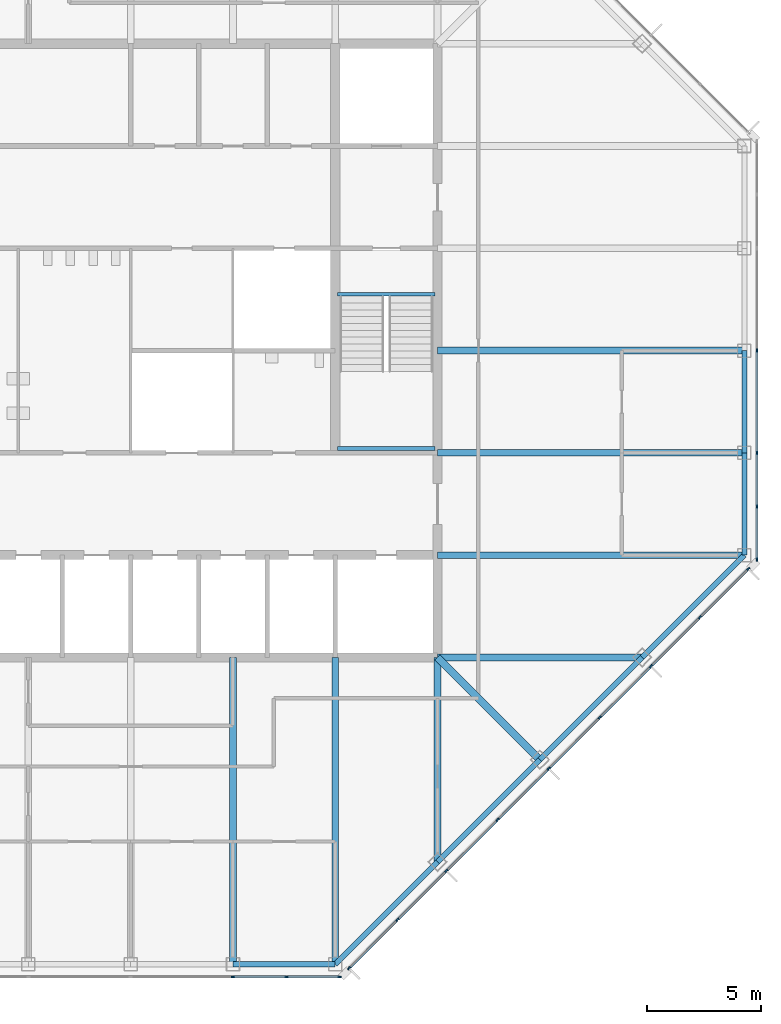
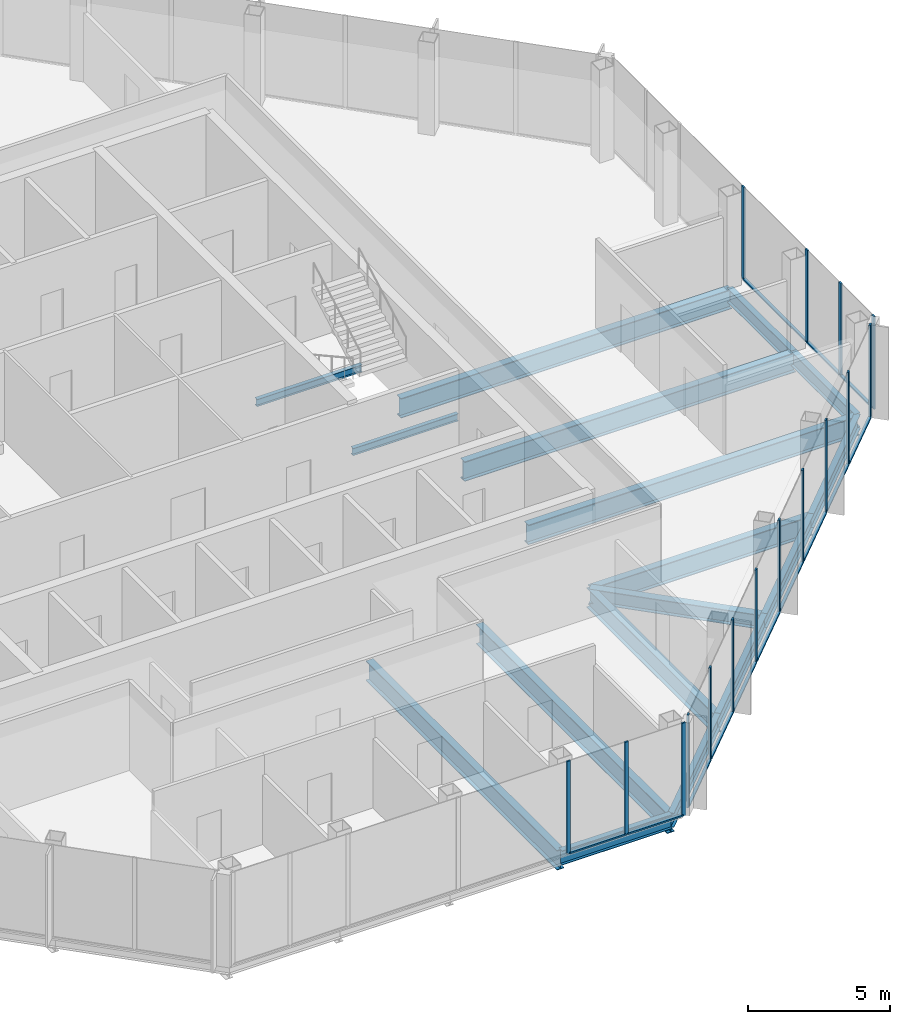
# One storey, part 4 of 13: 29 members, 17 beams, 3 elements without a shape of their own.
"""IFC4 building model written with IfcOpenShell, lengths in metres."""

from ifc_helpers import new_model, si_unit, direction, frame, origin, origin_2d, place, context, subcontext, project, spatial, rectangle, i_section, extrude, material, material_profile, profile_set, type_object, element, aggregate, save


model = new_model("IFC4")

# Units and contexts
model_context = context("Model", 3, precision=1e-05, world=origin(), true_north=direction((0.0, 1.0)))
body_context = subcontext(model_context, "Body", "Model", "MODEL_VIEW")
ifc_project = project(units=[si_unit("LENGTHUNIT", "METRE"), si_unit("AREAUNIT", "SQUARE_METRE"), si_unit("VOLUMEUNIT", "CUBIC_METRE"), si_unit("PLANEANGLEUNIT", "RADIAN"), si_unit("MASSUNIT", "GRAM", prefix="KILO")], contexts=[model_context])

# Site, building, storey
site_placement = place(None, origin())
site = spatial("IfcSite", under=ifc_project, at=site_placement, CompositionType="ELEMENT")
building_placement = place(site_placement, origin())
building = spatial("IfcBuilding", under=site, at=building_placement, Name="Corais Broadcast Tower", CompositionType="ELEMENT")
storey_placement = place(building_placement, frame((0.0, 0.0, 270.60009765625)))
storey = spatial("IfcBuildingStorey", under=building, at=storey_placement, Name="L63", CompositionType="ELEMENT", Elevation=270.60009765625)

# Beams
ifc_material_1 = material(Name="Steel ASTM A572 Grade 50", Category="steel")
ifc_material_profile_1 = material_profile(ifc_material_1, i_section(OverallWidth=0.323974609375, OverallDepth=0.611083984375, WebThickness=0.0126953125, FlangeThickness=0.01904296875, at=origin_2d()), Name="W610x155")
ifc_profile_set_1 = profile_set([ifc_material_profile_1], Name="Steel ASTM A572 Grade 50")
beam_type_1 = type_object("IfcBeamType", Name="Corner diagonal W610x155", PredefinedType="BEAM", material=ifc_profile_set_1)
beam_1_placement = place(storey_placement, frame((45.0, 9.0, -0.465576171875), z_axis=(-0.707106781187, 0.707106781187, 0.0), x_axis=(-0.707106781187, -0.707106781187, 0.0)))
element("IfcBeam", 1, at=beam_1_placement, inside=storey, type_object=beam_type_1, Name="B6 C/13 to D/12", PredefinedType="BEAM", context=body_context, shape_type="SweptSolid", body=[
    extrude(i_section(OverallWidth=0.323974609375, OverallDepth=0.611083984375, WebThickness=0.0126953125, FlangeThickness=0.01904296875, at=origin_2d()), origin(), (0.0, 0.0, 1.0), 6.364013671875),
])
ifc_material_2 = material(Name="Steel ASTM A572 Grade 50", Category="steel")
ifc_material_profile_2 = material_profile(ifc_material_2, i_section(OverallWidth=0.2939453125, OverallDepth=0.85107421875, WebThickness=0.01611328125, FlangeThickness=0.02685546875, at=origin_2d()), Name="W840x226")
ifc_profile_set_2 = profile_set([ifc_material_profile_2], Name="Steel ASTM A572 Grade 50")
beam_type_2 = type_object("IfcBeamType", Name="Floor beam W840x226", PredefinedType="BEAM", material=ifc_profile_set_2)
for number, where, z_axis, x_axis, name in (
    (2, (31.5, 0.0, -0.585693359375), (0.0, 1.0, 0.0), (-1.0, 0.0, 0.0), "B1 A/10 to D/10"),
    (3, (36.0, 0.0, -0.585693359375), (0.0, 1.0, 0.0), (-1.0, 0.0, 0.0), "B1 A/11 to D/11"),
):
    element("IfcBeam", number, at=place(storey_placement, frame(where, z_axis=z_axis, x_axis=x_axis)), inside=storey, type_object=beam_type_2, Name=name, PredefinedType="BEAM", context=body_context, shape_type="SweptSolid", body=[
        extrude(i_section(OverallWidth=0.2939453125, OverallDepth=0.85107421875, WebThickness=0.01611328125, FlangeThickness=0.02685546875, at=origin_2d()), origin(), (0.0, 0.0, 1.0), 13.5),
    ])
for number, where, z_axis, x_axis, name in (
    (4, (40.5, 4.5, -0.585693359375), (0.0, 1.0, 0.0), (-1.0, 0.0, 0.0), "B1 B/12 to D/12"),
    (5, (49.5, 13.5, -0.585693359375), (-1.0, 0.0, 0.0), (0.0, -1.0, 0.0), "B1 D/14 to D/12"),
):
    element("IfcBeam", number, at=place(storey_placement, frame(where, z_axis=z_axis, x_axis=x_axis)), inside=storey, type_object=beam_type_2, Name=name, PredefinedType="BEAM", context=body_context, shape_type="SweptSolid", body=[
        extrude(i_section(OverallWidth=0.2939453125, OverallDepth=0.85107421875, WebThickness=0.01611328125, FlangeThickness=0.02685546875, at=origin_2d()), origin(), (0.0, 0.0, 1.0), 9.0),
    ])
for number, where, z_axis, x_axis, name in (
    (6, (54.0, 18.0, -0.585693359375), (-1.0, 0.0, 0.0), (0.0, -1.0, 0.0), "B1 E/15 to E/12"),
    (7, (54.0, 22.5, -0.585693359375), (-1.0, 0.0, 0.0), (0.0, -1.0, 0.0), "B1 F/15 to F/12"),
    (8, (54.0, 27.0, -0.585693359375), (-1.0, 0.0, 0.0), (0.0, -1.0, 0.0), "B1 G/15 to G/12"),
):
    element("IfcBeam", number, at=place(storey_placement, frame(where, z_axis=z_axis, x_axis=x_axis)), inside=storey, type_object=beam_type_2, Name=name, PredefinedType="BEAM", context=body_context, shape_type="SweptSolid", body=[
        extrude(i_section(OverallWidth=0.2939453125, OverallDepth=0.85107421875, WebThickness=0.01611328125, FlangeThickness=0.02685546875, at=origin_2d()), origin(), (0.0, 0.0, 1.0), 13.5),
    ])
ifc_material_3 = material(Name="Steel ASTM A572 Grade 50", Category="steel")
ifc_material_profile_3 = material_profile(ifc_material_3, i_section(OverallWidth=0.1650390625, OverallDepth=0.31005859375, WebThickness=0.005859375, FlangeThickness=0.009765625, at=origin_2d()), Name="W310x38.7")
ifc_profile_set_3 = profile_set([ifc_material_profile_3], Name="Steel ASTM A572 Grade 50")
beam_type_3 = type_object("IfcBeamType", Name="Landing trimmer W310x38.7", PredefinedType="BEAM", material=ifc_profile_set_3)
for number, where, z_axis, x_axis, name in (
    (9, (36.10009765625, 29.47509765625, -0.35498046875), (1.0, 0.0, 0.0), (0.0, 1.0, 0.0), "LT1 stair B landing trimmer L63"),
    (10, (36.10009765625, 22.68994140625, 1.64501953125), (1.0, 0.0, 0.0), (0.0, 1.0, 0.0), "LT1 stair B half landing trimmer L63"),
):
    element("IfcBeam", number, at=place(storey_placement, frame(where, z_axis=z_axis, x_axis=x_axis)), inside=storey, type_object=beam_type_3, Name=name, PredefinedType="BEAM", context=body_context, shape_type="SweptSolid", body=[
        extrude(i_section(OverallWidth=0.1650390625, OverallDepth=0.31005859375, WebThickness=0.005859375, FlangeThickness=0.009765625, at=origin_2d()), origin(), (0.0, 0.0, 1.0), 4.2998046875),
    ])

# Curtain wall, members
ifc_material_4 = material(Name="Aluminium and glass", Category="aluminium")
curtain_wall_type = type_object("IfcCurtainWallType", Name="Unitised fritted curtain wall CW3", PredefinedType="NOTDEFINED", material=ifc_material_4)
curtain_wall_1_placement = place(storey_placement, origin())
curtain_wall_1 = element("IfcCurtainWall", 11, at=curtain_wall_1_placement, inside=storey, type_object=curtain_wall_type, Name="CW3 curtain wall L63 6", PredefinedType="NOTDEFINED")
ifc_material_5 = material(Name="Aluminium 6063-T6", Category="aluminium")
ifc_material_profile_4 = material_profile(ifc_material_5, rectangle(XDim=0.06494140625, YDim=0.159912109375, at=origin_2d()), Name="Mullion CW3 65x160")
ifc_profile_set_4 = profile_set([ifc_material_profile_4], Name="Aluminium 6063-T6")
member_type_1 = type_object("IfcMemberType", Name="Mullion CW3 65x160", PredefinedType="MULLION", material=ifc_profile_set_4)
member_1_placement = place(storey_placement, frame((54.550048828125, 27.0, 0.0), z_axis=(0.0, 0.0, 1.0), x_axis=(1.0, 0.0, 0.0)))
member_1 = element("IfcMember", 12, at=member_1_placement, type_object=member_type_1, Name="CW3 mullion 4", PredefinedType="MULLION", context=body_context, shape_type="SweptSolid", body=[
    extrude(rectangle(XDim=0.06494140625, YDim=0.159912109375, at=origin_2d()), origin(), (0.0, 0.0, 1.0), 4.0),
])
member_2_placement = place(storey_placement, frame((54.550048828125, 22.5, 0.0), z_axis=(0.0, 0.0, 1.0), x_axis=(1.0, 0.0, 0.0)))
member_2 = element("IfcMember", 13, at=member_2_placement, type_object=member_type_1, Name="CW3 mullion 5", PredefinedType="MULLION", context=body_context, shape_type="SweptSolid", body=[
    extrude(rectangle(XDim=0.06494140625, YDim=0.159912109375, at=origin_2d()), origin(), (0.0, 0.0, 1.0), 4.0),
])
member_3_placement = place(storey_placement, frame((54.550048828125, 20.135986328125, 0.0), z_axis=(0.0, 0.0, 1.0), x_axis=(1.0, 0.0, 0.0)))
member_3 = element("IfcMember", 14, at=member_3_placement, type_object=member_type_1, Name="CW3 mullion 6", PredefinedType="MULLION", context=body_context, shape_type="SweptSolid", body=[
    extrude(rectangle(XDim=0.06494140625, YDim=0.159912109375, at=origin_2d()), origin(), (0.0, 0.0, 1.0), 4.0),
])
member_4_placement = place(storey_placement, frame((54.550048828125, 17.8046875, 0.0), z_axis=(0.0, 0.0, 1.0), x_axis=(1.0, 0.0, 0.0)))
member_4 = element("IfcMember", 15, at=member_4_placement, type_object=member_type_1, Name="CW3 mullion 7", PredefinedType="MULLION", context=body_context, shape_type="SweptSolid", body=[
    extrude(rectangle(XDim=0.06494140625, YDim=0.159912109375, at=origin_2d()), origin(), (0.0, 0.0, 1.0), 4.0),
])

curtain_wall_2_placement = place(storey_placement, origin())
curtain_wall_2 = element("IfcCurtainWall", 16, at=curtain_wall_2_placement, inside=storey, type_object=curtain_wall_type, Name="CW3 curtain wall L63 7", PredefinedType="NOTDEFINED")
member_5_placement = place(storey_placement, frame((54.17333984375, 17.3955078125, 0.0), z_axis=(0.0, 0.0, 1.0), x_axis=(0.707106781187, -0.707106781187, 0.0)))
member_5 = element("IfcMember", 17, at=member_5_placement, type_object=member_type_1, Name="CW3 mullion 1", PredefinedType="MULLION", context=body_context, shape_type="SweptSolid", body=[
    extrude(rectangle(XDim=0.06494140625, YDim=0.159912109375, at=origin_2d()), origin(), (0.0, 0.0, 1.0), 4.0),
])
member_6_placement = place(storey_placement, frame((52.042724609375, 15.264892578125, 0.0), z_axis=(0.0, 0.0, 1.0), x_axis=(0.707106781187, -0.707106781187, 0.0)))
member_6 = element("IfcMember", 18, at=member_6_placement, type_object=member_type_1, Name="CW3 mullion 2", PredefinedType="MULLION", context=body_context, shape_type="SweptSolid", body=[
    extrude(rectangle(XDim=0.06494140625, YDim=0.159912109375, at=origin_2d()), origin(), (0.0, 0.0, 1.0), 4.0),
])
member_7_placement = place(storey_placement, frame((49.888916015625, 13.111083984375, 0.0), z_axis=(0.0, 0.0, 1.0), x_axis=(0.707106781187, -0.707106781187, 0.0)))
member_7 = element("IfcMember", 19, at=member_7_placement, type_object=member_type_1, Name="CW3 mullion 3", PredefinedType="MULLION", context=body_context, shape_type="SweptSolid", body=[
    extrude(rectangle(XDim=0.06494140625, YDim=0.159912109375, at=origin_2d()), origin(), (0.0, 0.0, 1.0), 4.0),
])
member_8_placement = place(storey_placement, frame((47.638916015625, 10.861083984375, 0.0), z_axis=(0.0, 0.0, 1.0), x_axis=(0.707106781187, -0.707106781187, 0.0)))
member_8 = element("IfcMember", 20, at=member_8_placement, type_object=member_type_1, Name="CW3 mullion 4", PredefinedType="MULLION", context=body_context, shape_type="SweptSolid", body=[
    extrude(rectangle(XDim=0.06494140625, YDim=0.159912109375, at=origin_2d()), origin(), (0.0, 0.0, 1.0), 4.0),
])
member_9_placement = place(storey_placement, frame((45.388916015625, 8.611083984375, 0.0), z_axis=(0.0, 0.0, 1.0), x_axis=(0.707106781187, -0.707106781187, 0.0)))
member_9 = element("IfcMember", 21, at=member_9_placement, type_object=member_type_1, Name="CW3 mullion 5", PredefinedType="MULLION", context=body_context, shape_type="SweptSolid", body=[
    extrude(rectangle(XDim=0.06494140625, YDim=0.159912109375, at=origin_2d()), origin(), (0.0, 0.0, 1.0), 4.0),
])
member_10_placement = place(storey_placement, frame((43.138916015625, 6.361083984375, 0.0), z_axis=(0.0, 0.0, 1.0), x_axis=(0.707106781187, -0.707106781187, 0.0)))
member_10 = element("IfcMember", 22, at=member_10_placement, type_object=member_type_1, Name="CW3 mullion 6", PredefinedType="MULLION", context=body_context, shape_type="SweptSolid", body=[
    extrude(rectangle(XDim=0.06494140625, YDim=0.159912109375, at=origin_2d()), origin(), (0.0, 0.0, 1.0), 4.0),
])
member_11_placement = place(storey_placement, frame((40.888916015625, 4.111083984375, 0.0), z_axis=(0.0, 0.0, 1.0), x_axis=(0.707106781187, -0.707106781187, 0.0)))
member_11 = element("IfcMember", 23, at=member_11_placement, type_object=member_type_1, Name="CW3 mullion 7", PredefinedType="MULLION", context=body_context, shape_type="SweptSolid", body=[
    extrude(rectangle(XDim=0.06494140625, YDim=0.159912109375, at=origin_2d()), origin(), (0.0, 0.0, 1.0), 4.0),
])
member_12_placement = place(storey_placement, frame((38.735107421875, 1.957275390625, 0.0), z_axis=(0.0, 0.0, 1.0), x_axis=(0.707106781187, -0.707106781187, 0.0)))
member_12 = element("IfcMember", 24, at=member_12_placement, type_object=member_type_1, Name="CW3 mullion 8", PredefinedType="MULLION", context=body_context, shape_type="SweptSolid", body=[
    extrude(rectangle(XDim=0.06494140625, YDim=0.159912109375, at=origin_2d()), origin(), (0.0, 0.0, 1.0), 4.0),
])
member_13_placement = place(storey_placement, frame((36.6044921875, -0.17333984375, 0.0), z_axis=(0.0, 0.0, 1.0), x_axis=(0.707106781187, -0.707106781187, 0.0)))
member_13 = element("IfcMember", 25, at=member_13_placement, type_object=member_type_1, Name="CW3 mullion 9", PredefinedType="MULLION", context=body_context, shape_type="SweptSolid", body=[
    extrude(rectangle(XDim=0.06494140625, YDim=0.159912109375, at=origin_2d()), origin(), (0.0, 0.0, 1.0), 4.0),
])

curtain_wall_3_placement = place(storey_placement, origin())
curtain_wall_3 = element("IfcCurtainWall", 26, at=curtain_wall_3_placement, inside=storey, type_object=curtain_wall_type, Name="CW3 curtain wall L63 8", PredefinedType="NOTDEFINED")
member_14_placement = place(storey_placement, frame((36.1953125, -0.550048828125, 0.0), z_axis=(0.0, 0.0, 1.0), x_axis=(0.0, -1.0, 0.0)))
member_14 = element("IfcMember", 27, at=member_14_placement, type_object=member_type_1, Name="CW3 mullion 1", PredefinedType="MULLION", context=body_context, shape_type="SweptSolid", body=[
    extrude(rectangle(XDim=0.06494140625, YDim=0.159912109375, at=origin_2d()), origin(), (0.0, 0.0, 1.0), 4.0),
])
member_15_placement = place(storey_placement, frame((33.864013671875, -0.550048828125, 0.0), z_axis=(0.0, 0.0, 1.0), x_axis=(0.0, -1.0, 0.0)))
member_15 = element("IfcMember", 28, at=member_15_placement, type_object=member_type_1, Name="CW3 mullion 2", PredefinedType="MULLION", context=body_context, shape_type="SweptSolid", body=[
    extrude(rectangle(XDim=0.06494140625, YDim=0.159912109375, at=origin_2d()), origin(), (0.0, 0.0, 1.0), 4.0),
])
member_16_placement = place(storey_placement, frame((31.5, -0.550048828125, 0.0), z_axis=(0.0, 0.0, 1.0), x_axis=(0.0, -1.0, 0.0)))
member_16 = element("IfcMember", 29, at=member_16_placement, type_object=member_type_1, Name="CW3 mullion 3", PredefinedType="MULLION", context=body_context, shape_type="SweptSolid", body=[
    extrude(rectangle(XDim=0.06494140625, YDim=0.159912109375, at=origin_2d()), origin(), (0.0, 0.0, 1.0), 4.0),
])

# Beams
ifc_material_6 = material(Name="Steel ASTM A572 Grade 50", Category="steel")
ifc_material_profile_5 = material_profile(ifc_material_6, i_section(OverallWidth=0.22998046875, OverallDepth=0.616943359375, WebThickness=0.01318359375, FlangeThickness=0.022216796875, at=origin_2d()), Name="W610x140")
ifc_profile_set_5 = profile_set([ifc_material_profile_5], Name="Steel ASTM A572 Grade 50")
beam_type_4 = type_object("IfcBeamType", Name="Spandrel W610x140", PredefinedType="BEAM", material=ifc_profile_set_5)
beam_2_placement = place(storey_placement, frame((31.5, 0.0, -0.468505859375), z_axis=(1.0, 0.0, 0.0), x_axis=(0.0, 1.0, 0.0)))
element("IfcBeam", 30, at=beam_2_placement, inside=storey, type_object=beam_type_4, Name="SB3 A/10 to A/11", PredefinedType="BEAM", context=body_context, shape_type="SweptSolid", body=[
    extrude(i_section(OverallWidth=0.22998046875, OverallDepth=0.616943359375, WebThickness=0.01318359375, FlangeThickness=0.022216796875, at=origin_2d()), origin(), (0.0, 0.0, 1.0), 4.5),
])
for number, where, z_axis, x_axis, name in (
    (31, (36.0, 0.0, -0.468505859375), (0.707106781187, 0.707106781187, 0.0), (-0.707106781187, 0.707106781187, 0.0), "SB3 A/11 to B/12"),
    (32, (40.5, 4.5, -0.468505859375), (0.707106781187, 0.707106781187, 0.0), (-0.707106781187, 0.707106781187, 0.0), "SB3 B/12 to C/13"),
    (33, (45.0, 9.0, -0.468505859375), (0.707106781187, 0.707106781187, 0.0), (-0.707106781187, 0.707106781187, 0.0), "SB3 C/13 to D/14"),
    (34, (49.5, 13.5, -0.468505859375), (0.707106781187, 0.707106781187, 0.0), (-0.707106781187, 0.707106781187, 0.0), "SB3 D/14 to E/15"),
):
    element("IfcBeam", number, at=place(storey_placement, frame(where, z_axis=z_axis, x_axis=x_axis)), inside=storey, type_object=beam_type_4, Name=name, PredefinedType="BEAM", context=body_context, shape_type="SweptSolid", body=[
        extrude(i_section(OverallWidth=0.22998046875, OverallDepth=0.616943359375, WebThickness=0.01318359375, FlangeThickness=0.022216796875, at=origin_2d()), origin(), (0.0, 0.0, 1.0), 6.364013671875),
    ])
for number, where, z_axis, x_axis, name in (
    (35, (54.0, 18.0, -0.468505859375), (0.0, 1.0, 0.0), (-1.0, 0.0, 0.0), "SB3 E/15 to F/15"),
    (36, (54.0, 22.5, -0.468505859375), (0.0, 1.0, 0.0), (-1.0, 0.0, 0.0), "SB3 F/15 to G/15"),
):
    element("IfcBeam", number, at=place(storey_placement, frame(where, z_axis=z_axis, x_axis=x_axis)), inside=storey, type_object=beam_type_4, Name=name, PredefinedType="BEAM", context=body_context, shape_type="SweptSolid", body=[
        extrude(i_section(OverallWidth=0.22998046875, OverallDepth=0.616943359375, WebThickness=0.01318359375, FlangeThickness=0.022216796875, at=origin_2d()), origin(), (0.0, 0.0, 1.0), 4.5),
    ])

# Member
ifc_material_7 = material(Name="Aluminium 6063-T6", Category="aluminium")
ifc_material_profile_6 = material_profile(ifc_material_7, rectangle(XDim=0.1201171875, YDim=0.06494140625, at=origin_2d()), Name="Transom CW3 65x120")
ifc_profile_set_6 = profile_set([ifc_material_profile_6], Name="Aluminium 6063-T6")
member_type_2 = type_object("IfcMemberType", Name="Transom CW3 65x120", PredefinedType="USERDEFINED", material=ifc_profile_set_6)
member_17_placement = place(storey_placement, frame((54.550048828125, 26.967529296875, 0.032470703125), z_axis=(0.0, -1.0, 0.0), x_axis=(1.0, 0.0, 0.0)))
member_17 = element("IfcMember", 37, at=member_17_placement, type_object=member_type_2, Name="CW3 transom 4.1", ObjectType="TRANSOM", PredefinedType="USERDEFINED", context=body_context, shape_type="SweptSolid", body=[
    extrude(rectangle(XDim=0.1201171875, YDim=0.06494140625, at=origin_2d()), origin(), (0.0, 0.0, 1.0), 4.43505859375),
])

member_18_placement = place(storey_placement, frame((54.550048828125, 22.467529296875, 0.032470703125), z_axis=(0.0, -1.0, 0.0), x_axis=(1.0, 0.0, 0.0)))
member_18 = element("IfcMember", 38, at=member_18_placement, type_object=member_type_2, Name="CW3 transom 5.1", ObjectType="TRANSOM", PredefinedType="USERDEFINED", context=body_context, shape_type="SweptSolid", body=[
    extrude(rectangle(XDim=0.1201171875, YDim=0.06494140625, at=origin_2d()), origin(), (0.0, 0.0, 1.0), 2.298828125),
])

member_19_placement = place(storey_placement, frame((54.550048828125, 20.103515625, 0.032470703125), z_axis=(0.0, -1.0, 0.0), x_axis=(1.0, 0.0, 0.0)))
member_19 = element("IfcMember", 39, at=member_19_placement, type_object=member_type_2, Name="CW3 transom 6.1", ObjectType="TRANSOM", PredefinedType="USERDEFINED", context=body_context, shape_type="SweptSolid", body=[
    extrude(rectangle(XDim=0.1201171875, YDim=0.06494140625, at=origin_2d()), origin(), (0.0, 0.0, 1.0), 2.266357421875),
])

aggregate(curtain_wall_1, [member_1, member_2, member_3, member_4, member_17, member_18, member_19])

member_20_placement = place(storey_placement, frame((54.150390625, 17.37255859375, 0.032470703125), z_axis=(-0.707106781187, -0.707106781187, 0.0), x_axis=(0.707106781187, -0.707106781187, 0.0)))
member_20 = element("IfcMember", 40, at=member_20_placement, type_object=member_type_2, Name="CW3 transom 1.1", ObjectType="TRANSOM", PredefinedType="USERDEFINED", context=body_context, shape_type="SweptSolid", body=[
    extrude(rectangle(XDim=0.1201171875, YDim=0.06494140625, at=origin_2d()), origin(), (0.0, 0.0, 1.0), 2.9482421875),
])

member_21_placement = place(storey_placement, frame((52.019775390625, 15.241943359375, 0.032470703125), z_axis=(-0.707106781187, -0.707106781187, 0.0), x_axis=(0.707106781187, -0.707106781187, 0.0)))
member_21 = element("IfcMember", 41, at=member_21_placement, type_object=member_type_2, Name="CW3 transom 2.1", ObjectType="TRANSOM", PredefinedType="USERDEFINED", context=body_context, shape_type="SweptSolid", body=[
    extrude(rectangle(XDim=0.1201171875, YDim=0.06494140625, at=origin_2d()), origin(), (0.0, 0.0, 1.0), 2.98095703125),
])

member_22_placement = place(storey_placement, frame((49.865966796875, 13.088134765625, 0.032470703125), z_axis=(-0.707106781187, -0.707106781187, 0.0), x_axis=(0.707106781187, -0.707106781187, 0.0)))
member_22 = element("IfcMember", 42, at=member_22_placement, type_object=member_type_2, Name="CW3 transom 3.1", ObjectType="TRANSOM", PredefinedType="USERDEFINED", context=body_context, shape_type="SweptSolid", body=[
    extrude(rectangle(XDim=0.1201171875, YDim=0.06494140625, at=origin_2d()), origin(), (0.0, 0.0, 1.0), 3.1171875),
])

member_23_placement = place(storey_placement, frame((47.615966796875, 10.838134765625, 0.032470703125), z_axis=(-0.707106781187, -0.707106781187, 0.0), x_axis=(0.707106781187, -0.707106781187, 0.0)))
member_23 = element("IfcMember", 43, at=member_23_placement, type_object=member_type_2, Name="CW3 transom 4.1", ObjectType="TRANSOM", PredefinedType="USERDEFINED", context=body_context, shape_type="SweptSolid", body=[
    extrude(rectangle(XDim=0.1201171875, YDim=0.06494140625, at=origin_2d()), origin(), (0.0, 0.0, 1.0), 3.1171875),
])

member_24_placement = place(storey_placement, frame((45.365966796875, 8.588134765625, 0.032470703125), z_axis=(-0.707106781187, -0.707106781187, 0.0), x_axis=(0.707106781187, -0.707106781187, 0.0)))
member_24 = element("IfcMember", 44, at=member_24_placement, type_object=member_type_2, Name="CW3 transom 5.1", ObjectType="TRANSOM", PredefinedType="USERDEFINED", context=body_context, shape_type="SweptSolid", body=[
    extrude(rectangle(XDim=0.1201171875, YDim=0.06494140625, at=origin_2d()), origin(), (0.0, 0.0, 1.0), 3.1171875),
])

member_25_placement = place(storey_placement, frame((43.115966796875, 6.338134765625, 0.032470703125), z_axis=(-0.707106781187, -0.707106781187, 0.0), x_axis=(0.707106781187, -0.707106781187, 0.0)))
member_25 = element("IfcMember", 45, at=member_25_placement, type_object=member_type_2, Name="CW3 transom 6.1", ObjectType="TRANSOM", PredefinedType="USERDEFINED", context=body_context, shape_type="SweptSolid", body=[
    extrude(rectangle(XDim=0.1201171875, YDim=0.06494140625, at=origin_2d()), origin(), (0.0, 0.0, 1.0), 3.1171875),
])

member_26_placement = place(storey_placement, frame((40.865966796875, 4.088134765625, 0.032470703125), z_axis=(-0.70714773134, -0.707065828661, 0.0), x_axis=(0.707065828661, -0.70714773134, 0.0)))
member_26 = element("IfcMember", 46, at=member_26_placement, type_object=member_type_2, Name="CW3 transom 7.1", ObjectType="TRANSOM", PredefinedType="USERDEFINED", context=body_context, shape_type="SweptSolid", body=[
    extrude(rectangle(XDim=0.1201171875, YDim=0.06494140625, at=origin_2d()), origin(), (0.0, 0.0, 1.0), 2.98095703125),
])

member_27_placement = place(storey_placement, frame((38.712158203125, 1.934326171875, 0.032470703125), z_axis=(-0.707106781187, -0.707106781187, 0.0), x_axis=(0.707106781187, -0.707106781187, 0.0)))
member_27 = element("IfcMember", 47, at=member_27_placement, type_object=member_type_2, Name="CW3 transom 8.1", ObjectType="TRANSOM", PredefinedType="USERDEFINED", context=body_context, shape_type="SweptSolid", body=[
    extrude(rectangle(XDim=0.1201171875, YDim=0.06494140625, at=origin_2d()), origin(), (0.0, 0.0, 1.0), 2.9482421875),
])

aggregate(curtain_wall_2, [member_5, member_6, member_7, member_8, member_9, member_10, member_11, member_12, member_13, member_20, member_21, member_22, member_23, member_24, member_25, member_26, member_27])

member_28_placement = place(storey_placement, frame((36.162841796875, -0.550048828125, 0.032470703125), z_axis=(-1.0, 0.0, 0.0), x_axis=(0.0, -1.0, 0.0)))
member_28 = element("IfcMember", 48, at=member_28_placement, type_object=member_type_2, Name="CW3 transom 1.1", ObjectType="TRANSOM", PredefinedType="USERDEFINED", context=body_context, shape_type="SweptSolid", body=[
    extrude(rectangle(XDim=0.1201171875, YDim=0.06494140625, at=origin_2d()), origin(), (0.0, 0.0, 1.0), 2.266357421875),
])

member_29_placement = place(storey_placement, frame((33.831298828125, -0.550048828125, 0.032470703125), z_axis=(-1.0, 0.0, 0.0), x_axis=(0.0, -1.0, 0.0)))
member_29 = element("IfcMember", 49, at=member_29_placement, type_object=member_type_2, Name="CW3 transom 2.1", ObjectType="TRANSOM", PredefinedType="USERDEFINED", context=body_context, shape_type="SweptSolid", body=[
    extrude(rectangle(XDim=0.1201171875, YDim=0.06494140625, at=origin_2d()), origin(), (0.0, 0.0, 1.0), 2.298828125),
])

aggregate(curtain_wall_3, [member_14, member_15, member_16, member_28, member_29])

save(model, "model.ifc")
